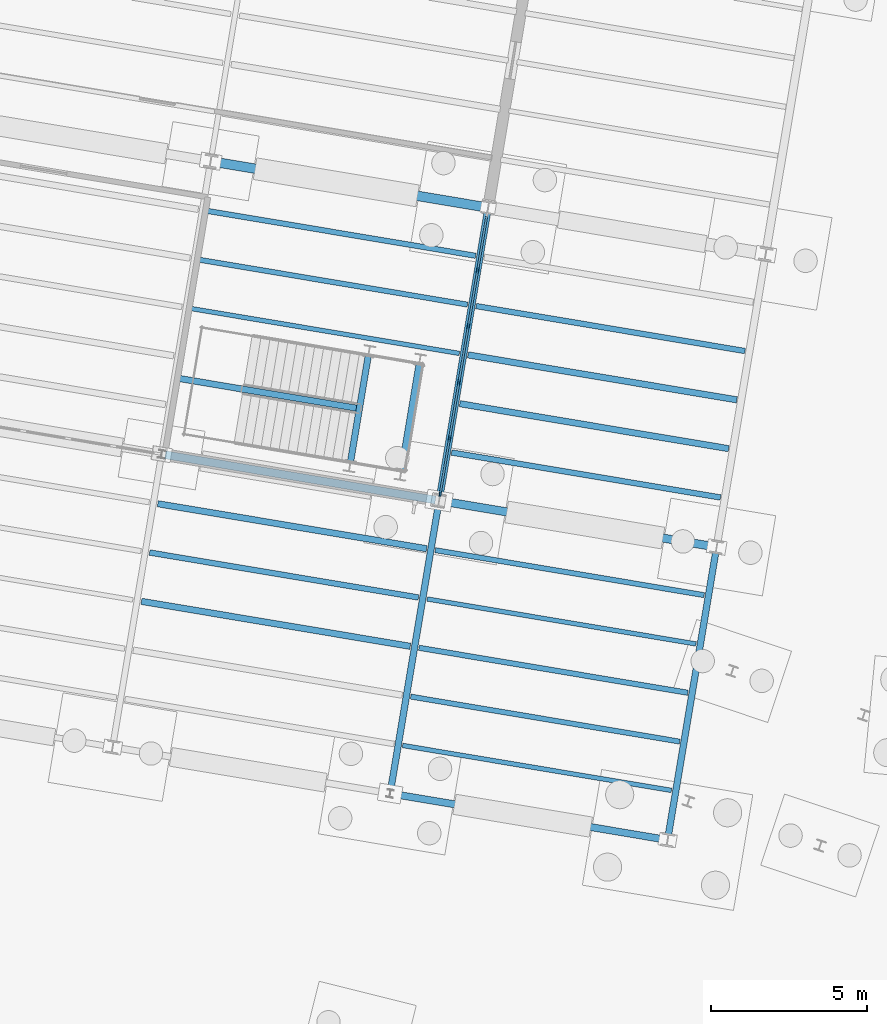
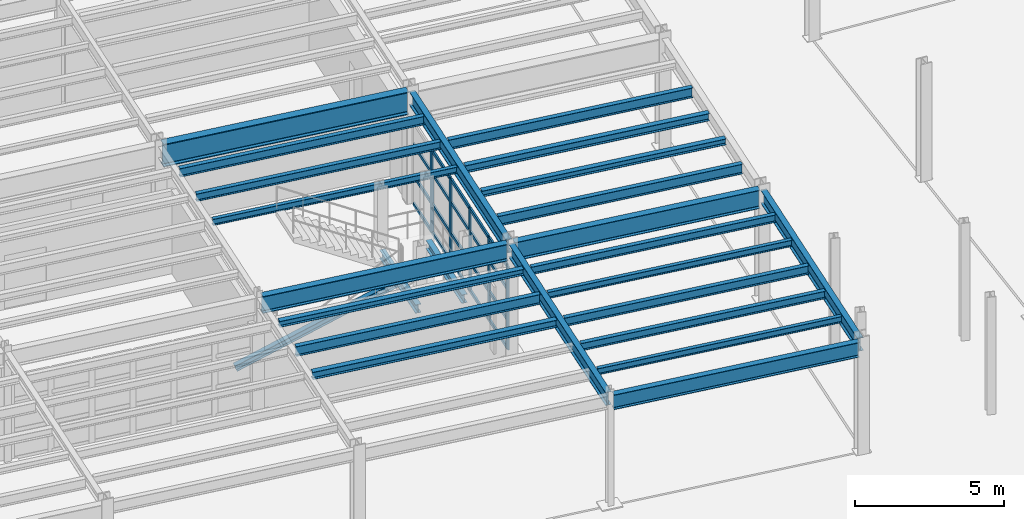
# One storey, part 45 of 108: 25 members, 24 beams, 1 element without a shape of its own.
"""IFC4 building model written with IfcOpenShell, lengths in metres."""

from ifc_helpers import new_model, si_unit, direction, frame, origin, origin_2d, place, context, subcontext, project, spatial, rectangle, i_section, extrude, material, layer, layer_set, material_profile, profile_set, type_object, element, aggregate, save


model = new_model("IFC4")

# Units and contexts
model_context = context("Model", 3, precision=1e-05, world=origin(), true_north=direction((0.0, 1.0)))
body_context = subcontext(model_context, "Body", "Model", "MODEL_VIEW")
ifc_project = project(units=[si_unit("LENGTHUNIT", "METRE"), si_unit("AREAUNIT", "SQUARE_METRE"), si_unit("VOLUMEUNIT", "CUBIC_METRE"), si_unit("PLANEANGLEUNIT", "RADIAN"), si_unit("MASSUNIT", "GRAM", prefix="KILO")], contexts=[model_context])

# Site, building, storey
site_placement = place(None, origin())
site = spatial("IfcSite", under=ifc_project, at=site_placement, CompositionType="ELEMENT")
building_placement = place(site_placement, origin())
building = spatial("IfcBuilding", under=site, at=building_placement, Name="Vireo Bluff Cable Station", CompositionType="ELEMENT")
storey_placement = place(building_placement, origin())
storey = spatial("IfcBuildingStorey", under=building, at=storey_placement, Name="L00", CompositionType="ELEMENT", Elevation=0.0)

# Beams
ifc_material_1 = material(Name="Steel ASTM A992 Gr. 50", Category="steel")
ifc_material_profile_1 = material_profile(ifc_material_1, i_section(OverallWidth=0.2041015625, OverallDepth=0.35009765625, WebThickness=0.008544921875, FlangeThickness=0.01513671875, FilletRadius=0.010009765625, at=origin_2d()), Name="W14X48")
ifc_profile_set_1 = profile_set([ifc_material_profile_1], Name="Steel ASTM A992 Gr. 50")
beam_type_1 = type_object("IfcBeamType", Name="BM-W14X48", PredefinedType="BEAM", material=ifc_profile_set_1)
for number, where, z_axis, x_axis, name in (
    (1, (39.74072265625, 76.172607421875, 2.02490234375), (0.165077965805, 0.986280520545, 0.0), (-0.986280520545, 0.165077965805, 0.0), "ST-08 L00 landing header beam N"),
    (2, (41.3681640625, 75.900390625, 2.02490234375), (0.165077965805, 0.986280520545, 0.0), (-0.986280520545, 0.165077965805, 0.0), "ST-08 L00 landing header beam F"),
):
    element("IfcBeam", number, at=place(storey_placement, frame(where, z_axis=z_axis, x_axis=x_axis)), inside=storey, type_object=beam_type_1, Name=name, PredefinedType="BEAM", context=body_context, shape_type="SweptSolid", body=[
        extrude(i_section(OverallWidth=0.2041015625, OverallDepth=0.35009765625, WebThickness=0.008544921875, FlangeThickness=0.01513671875, FilletRadius=0.010009765625, at=origin_2d()), origin(), (0.0, 0.0, 1.0), 3.43994140625),
    ])
ifc_material_profile_2 = material_profile(ifc_material_1, i_section(OverallWidth=0.2099609375, OverallDepth=0.535888671875, WebThickness=0.010986328125, FlangeThickness=0.017333984375, FilletRadius=0.012939453125, at=origin_2d()), Name="W21X68")
ifc_profile_set_2 = profile_set([ifc_material_profile_2], Name="Steel ASTM A992 Gr. 50")
beam_type_2 = type_object("IfcBeamType", Name="BM-W21X68", PredefinedType="BEAM", material=ifc_profile_set_2)
beam_1_placement = place(storey_placement, frame((41.026123046875, 65.6767578125, 4.27197265625), z_axis=(0.165048828716, 0.986285396901, 0.0), x_axis=(-0.986285396901, 0.165048828716, 0.0)))
element("IfcBeam", 3, at=beam_1_placement, inside=storey, type_object=beam_type_2, Name="V4 L00 beam 798", PredefinedType="BEAM", context=body_context, shape_type="SweptSolid", body=[
    extrude(i_section(OverallWidth=0.2099609375, OverallDepth=0.535888671875, WebThickness=0.010986328125, FlangeThickness=0.017333984375, FilletRadius=0.012939453125, at=origin_2d()), origin(), (0.0, 0.0, 1.0), 9.259765625),
])
ifc_material_profile_3 = material_profile(ifc_material_1, i_section(OverallWidth=0.214111328125, OverallDepth=0.549072265625, WebThickness=0.0146484375, FlangeThickness=0.023681640625, FilletRadius=0.012939453125, at=origin_2d()), Name="W21X93")
ifc_profile_set_3 = profile_set([ifc_material_profile_3], Name="Steel ASTM A992 Gr. 50")
beam_type_3 = type_object("IfcBeamType", Name="BM-W21X93", PredefinedType="BEAM", material=ifc_profile_set_3)
beam_2_placement = place(storey_placement, frame((42.593994140625, 75.04638671875, 4.265380859375), z_axis=(0.165044536891, 0.986286115102, 0.0), x_axis=(-0.986286115102, 0.165044536891, 0.0)))
element("IfcBeam", 4, at=beam_2_placement, inside=storey, type_object=beam_type_3, Name="V4 L00 beam 799", PredefinedType="BEAM", context=body_context, shape_type="SweptSolid", body=[
    extrude(i_section(OverallWidth=0.214111328125, OverallDepth=0.549072265625, WebThickness=0.0146484375, FlangeThickness=0.023681640625, FilletRadius=0.012939453125, at=origin_2d()), origin(), (0.0, 0.0, 1.0), 9.260009765625),
])

# Curtain wall, members
ifc_material_2 = material(Name="Anodized Aluminium 6063-T6", Category="aluminium")
ifc_layer = layer(ifc_material_2, 0.159912109375, Name="Anodized Aluminium 6063-T6")
ifc_layer_set = layer_set([ifc_layer], Name="Anodized Aluminium 6063-T6")
curtain_wall_type = type_object("IfcCurtainWallType", Name="CW-STICK-1750", PredefinedType="USERDEFINED", material=ifc_layer_set)
curtain_wall_placement = place(storey_placement, origin())
curtain_wall = element("IfcCurtainWall", 5, at=curtain_wall_placement, inside=storey, type_object=curtain_wall_type, Name="V4 L00 east curtain wall CW-084", ObjectType="STICK CURTAIN WALL", PredefinedType="USERDEFINED")
ifc_material_profile_4 = material_profile(ifc_material_2, rectangle(XDim=0.06494140625, YDim=0.179931640625, at=origin_2d()), Name="ALU-M-65X180")
ifc_profile_set_4 = profile_set([ifc_material_profile_4], Name="Anodized Aluminium 6063-T6")
member_type_1 = type_object("IfcMemberType", Name="CWM-01", PredefinedType="MULLION", material=ifc_profile_set_4)
member_1_placement = place(storey_placement, frame((43.807373046875, 82.29736328125, 0.0), z_axis=(0.0, 0.0, 1.0), x_axis=(0.986285593486, -0.165047653974, 0.0)))
member_1 = element("IfcMember", 6, at=member_1_placement, type_object=member_type_1, Name="CW-084 mullion 2", PredefinedType="MULLION", context=body_context, shape_type="SweptSolid", body=[
    extrude(rectangle(XDim=0.06494140625, YDim=0.179931640625, at=origin_2d()), origin(), (0.0, 0.0, 1.0), 3.39990234375),
])
member_2_placement = place(storey_placement, frame((43.507568359375, 80.504638671875, 0.0), z_axis=(0.0, 0.0, 1.0), x_axis=(0.986285593486, -0.165047653974, 0.0)))
member_2 = element("IfcMember", 7, at=member_2_placement, type_object=member_type_1, Name="CW-084 mullion 3", PredefinedType="MULLION", context=body_context, shape_type="SweptSolid", body=[
    extrude(rectangle(XDim=0.06494140625, YDim=0.179931640625, at=origin_2d()), origin(), (0.0, 0.0, 1.0), 3.39990234375),
])
member_3_placement = place(storey_placement, frame((43.20751953125, 78.712158203125, 0.0), z_axis=(0.0, 0.0, 1.0), x_axis=(0.986285593486, -0.165047653974, 0.0)))
member_3 = element("IfcMember", 8, at=member_3_placement, type_object=member_type_1, Name="CW-084 mullion 4", PredefinedType="MULLION", context=body_context, shape_type="SweptSolid", body=[
    extrude(rectangle(XDim=0.06494140625, YDim=0.179931640625, at=origin_2d()), origin(), (0.0, 0.0, 1.0), 3.39990234375),
])
member_4_placement = place(storey_placement, frame((42.907470703125, 76.91943359375, 0.0), z_axis=(0.0, 0.0, 1.0), x_axis=(0.986285593486, -0.165047653974, 0.0)))
member_4 = element("IfcMember", 9, at=member_4_placement, type_object=member_type_1, Name="CW-084 mullion 5", PredefinedType="MULLION", context=body_context, shape_type="SweptSolid", body=[
    extrude(rectangle(XDim=0.06494140625, YDim=0.179931640625, at=origin_2d()), origin(), (0.0, 0.0, 1.0), 3.39990234375),
])
member_5_placement = place(storey_placement, frame((42.61279296875, 75.15869140625, 0.0), z_axis=(0.0, 0.0, 1.0), x_axis=(0.986285593486, -0.165047653974, 0.0)))
member_5 = element("IfcMember", 10, at=member_5_placement, type_object=member_type_1, Name="CW-084 mullion 6", PredefinedType="MULLION", context=body_context, shape_type="SweptSolid", body=[
    extrude(rectangle(XDim=0.06494140625, YDim=0.179931640625, at=origin_2d()), origin(), (0.0, 0.0, 1.0), 3.39990234375),
])
ifc_material_profile_5 = material_profile(ifc_material_2, rectangle(XDim=0.06494140625, YDim=0.139892578125, at=origin_2d()), Name="ALU-T-65X140")
ifc_profile_set_5 = profile_set([ifc_material_profile_5], Name="Anodized Aluminium 6063-T6")
member_type_2 = type_object("IfcMemberType", Name="CWT-01", PredefinedType="USERDEFINED", material=ifc_profile_set_5)
member_6_placement = place(storey_placement, frame((44.0966796875, 84.02587890625, 0.032470703125), z_axis=(-0.165089521576, -0.986278586336, 0.0), x_axis=(0.986278586336, -0.165089521576, 0.0)))
member_6 = element("IfcMember", 11, at=member_6_placement, type_object=member_type_2, Name="CW-084 transom 1.1", ObjectType="TRANSOM", PredefinedType="USERDEFINED", context=body_context, shape_type="SweptSolid", body=[
    extrude(rectangle(XDim=0.06494140625, YDim=0.139892578125, at=origin_2d()), origin(), (0.0, 0.0, 1.0), 1.719970703125),
])
member_7_placement = place(storey_placement, frame((44.0966796875, 84.02587890625, 1.18994140625), z_axis=(-0.165089521576, -0.986278586336, 0.0), x_axis=(0.986278586336, -0.165089521576, 0.0)))
member_7 = element("IfcMember", 12, at=member_7_placement, type_object=member_type_2, Name="CW-084 transom 1.2", ObjectType="TRANSOM", PredefinedType="USERDEFINED", context=body_context, shape_type="SweptSolid", body=[
    extrude(rectangle(XDim=0.06494140625, YDim=0.139892578125, at=origin_2d()), origin(), (0.0, 0.0, 1.0), 1.719970703125),
])
member_8_placement = place(storey_placement, frame((44.0966796875, 84.02587890625, 2.447998046875), z_axis=(-0.165089521576, -0.986278586336, 0.0), x_axis=(0.986278586336, -0.165089521576, 0.0)))
member_8 = element("IfcMember", 13, at=member_8_placement, type_object=member_type_2, Name="CW-084 transom 1.3", ObjectType="TRANSOM", PredefinedType="USERDEFINED", context=body_context, shape_type="SweptSolid", body=[
    extrude(rectangle(XDim=0.06494140625, YDim=0.139892578125, at=origin_2d()), origin(), (0.0, 0.0, 1.0), 1.719970703125),
])
member_9_placement = place(storey_placement, frame((43.802001953125, 82.265380859375, 0.032470703125), z_axis=(-0.164941135671, -0.986303412629, 0.0), x_axis=(0.986303412629, -0.164941135671, 0.0)))
member_9 = element("IfcMember", 14, at=member_9_placement, type_object=member_type_2, Name="CW-084 transom 2.1", ObjectType="TRANSOM", PredefinedType="USERDEFINED", context=body_context, shape_type="SweptSolid", body=[
    extrude(rectangle(XDim=0.06494140625, YDim=0.139892578125, at=origin_2d()), origin(), (0.0, 0.0, 1.0), 1.75244140625),
])
member_10_placement = place(storey_placement, frame((43.802001953125, 82.265380859375, 1.18994140625), z_axis=(-0.164941135671, -0.986303412629, 0.0), x_axis=(0.986303412629, -0.164941135671, 0.0)))
member_10 = element("IfcMember", 15, at=member_10_placement, type_object=member_type_2, Name="CW-084 transom 2.2", ObjectType="TRANSOM", PredefinedType="USERDEFINED", context=body_context, shape_type="SweptSolid", body=[
    extrude(rectangle(XDim=0.06494140625, YDim=0.139892578125, at=origin_2d()), origin(), (0.0, 0.0, 1.0), 1.75244140625),
])
member_11_placement = place(storey_placement, frame((43.802001953125, 82.265380859375, 2.447998046875), z_axis=(-0.164941135671, -0.986303412629, 0.0), x_axis=(0.986303412629, -0.164941135671, 0.0)))
member_11 = element("IfcMember", 16, at=member_11_placement, type_object=member_type_2, Name="CW-084 transom 2.3", ObjectType="TRANSOM", PredefinedType="USERDEFINED", context=body_context, shape_type="SweptSolid", body=[
    extrude(rectangle(XDim=0.06494140625, YDim=0.139892578125, at=origin_2d()), origin(), (0.0, 0.0, 1.0), 1.75244140625),
])
member_12_placement = place(storey_placement, frame((43.802001953125, 82.265380859375, 3.367431640625), z_axis=(-0.164941135671, -0.986303412629, 0.0), x_axis=(0.986303412629, -0.164941135671, 0.0)))
member_12 = element("IfcMember", 17, at=member_12_placement, type_object=member_type_2, Name="CW-084 transom 2.4", ObjectType="TRANSOM", PredefinedType="USERDEFINED", context=body_context, shape_type="SweptSolid", body=[
    extrude(rectangle(XDim=0.06494140625, YDim=0.139892578125, at=origin_2d()), origin(), (0.0, 0.0, 1.0), 1.75244140625),
])
member_13_placement = place(storey_placement, frame((43.502197265625, 80.47265625, 0.032470703125), z_axis=(-0.165076649426, -0.986280740872, 0.0), x_axis=(0.986280740872, -0.165076649426, 0.0)))
member_13 = element("IfcMember", 18, at=member_13_placement, type_object=member_type_2, Name="CW-084 transom 3.1", ObjectType="TRANSOM", PredefinedType="USERDEFINED", context=body_context, shape_type="SweptSolid", body=[
    extrude(rectangle(XDim=0.06494140625, YDim=0.139892578125, at=origin_2d()), origin(), (0.0, 0.0, 1.0), 1.75244140625),
])
member_14_placement = place(storey_placement, frame((43.502197265625, 80.47265625, 1.18994140625), z_axis=(-0.165076649426, -0.986280740872, 0.0), x_axis=(0.986280740872, -0.165076649426, 0.0)))
member_14 = element("IfcMember", 19, at=member_14_placement, type_object=member_type_2, Name="CW-084 transom 3.2", ObjectType="TRANSOM", PredefinedType="USERDEFINED", context=body_context, shape_type="SweptSolid", body=[
    extrude(rectangle(XDim=0.06494140625, YDim=0.139892578125, at=origin_2d()), origin(), (0.0, 0.0, 1.0), 1.75244140625),
])
member_15_placement = place(storey_placement, frame((43.502197265625, 80.47265625, 2.447998046875), z_axis=(-0.165076649426, -0.986280740872, 0.0), x_axis=(0.986280740872, -0.165076649426, 0.0)))
member_15 = element("IfcMember", 20, at=member_15_placement, type_object=member_type_2, Name="CW-084 transom 3.3", ObjectType="TRANSOM", PredefinedType="USERDEFINED", context=body_context, shape_type="SweptSolid", body=[
    extrude(rectangle(XDim=0.06494140625, YDim=0.139892578125, at=origin_2d()), origin(), (0.0, 0.0, 1.0), 1.75244140625),
])
member_16_placement = place(storey_placement, frame((43.502197265625, 80.47265625, 3.367431640625), z_axis=(-0.165076649426, -0.986280740872, 0.0), x_axis=(0.986280740872, -0.165076649426, 0.0)))
member_16 = element("IfcMember", 21, at=member_16_placement, type_object=member_type_2, Name="CW-084 transom 3.4", ObjectType="TRANSOM", PredefinedType="USERDEFINED", context=body_context, shape_type="SweptSolid", body=[
    extrude(rectangle(XDim=0.06494140625, YDim=0.139892578125, at=origin_2d()), origin(), (0.0, 0.0, 1.0), 1.75244140625),
])
member_17_placement = place(storey_placement, frame((43.2021484375, 78.679931640625, 0.032470703125), z_axis=(-0.165076649426, -0.986280740872, 0.0), x_axis=(0.986280740872, -0.165076649426, 0.0)))
member_17 = element("IfcMember", 22, at=member_17_placement, type_object=member_type_2, Name="CW-084 transom 4.1", ObjectType="TRANSOM", PredefinedType="USERDEFINED", context=body_context, shape_type="SweptSolid", body=[
    extrude(rectangle(XDim=0.06494140625, YDim=0.139892578125, at=origin_2d()), origin(), (0.0, 0.0, 1.0), 1.75244140625),
])
member_18_placement = place(storey_placement, frame((43.2021484375, 78.679931640625, 1.18994140625), z_axis=(-0.165076649426, -0.986280740872, 0.0), x_axis=(0.986280740872, -0.165076649426, 0.0)))
member_18 = element("IfcMember", 23, at=member_18_placement, type_object=member_type_2, Name="CW-084 transom 4.2", ObjectType="TRANSOM", PredefinedType="USERDEFINED", context=body_context, shape_type="SweptSolid", body=[
    extrude(rectangle(XDim=0.06494140625, YDim=0.139892578125, at=origin_2d()), origin(), (0.0, 0.0, 1.0), 1.75244140625),
])
member_19_placement = place(storey_placement, frame((43.2021484375, 78.679931640625, 2.447998046875), z_axis=(-0.165076649426, -0.986280740872, 0.0), x_axis=(0.986280740872, -0.165076649426, 0.0)))
member_19 = element("IfcMember", 24, at=member_19_placement, type_object=member_type_2, Name="CW-084 transom 4.3", ObjectType="TRANSOM", PredefinedType="USERDEFINED", context=body_context, shape_type="SweptSolid", body=[
    extrude(rectangle(XDim=0.06494140625, YDim=0.139892578125, at=origin_2d()), origin(), (0.0, 0.0, 1.0), 1.75244140625),
])
member_20_placement = place(storey_placement, frame((43.2021484375, 78.679931640625, 3.367431640625), z_axis=(-0.165076649426, -0.986280740872, 0.0), x_axis=(0.986280740872, -0.165076649426, 0.0)))
member_20 = element("IfcMember", 25, at=member_20_placement, type_object=member_type_2, Name="CW-084 transom 4.4", ObjectType="TRANSOM", PredefinedType="USERDEFINED", context=body_context, shape_type="SweptSolid", body=[
    extrude(rectangle(XDim=0.06494140625, YDim=0.139892578125, at=origin_2d()), origin(), (0.0, 0.0, 1.0), 1.75244140625),
])
member_21_placement = place(storey_placement, frame((42.902099609375, 76.887451171875, 0.032470703125), z_axis=(-0.165066411628, -0.986282454347, 0.0), x_axis=(0.986282454347, -0.165066411628, 0.0)))
member_21 = element("IfcMember", 26, at=member_21_placement, type_object=member_type_2, Name="CW-084 transom 5.1", ObjectType="TRANSOM", PredefinedType="USERDEFINED", context=body_context, shape_type="SweptSolid", body=[
    extrude(rectangle(XDim=0.06494140625, YDim=0.139892578125, at=origin_2d()), origin(), (0.0, 0.0, 1.0), 1.72021484375),
])
member_22_placement = place(storey_placement, frame((42.902099609375, 76.887451171875, 1.18994140625), z_axis=(-0.165066411628, -0.986282454347, 0.0), x_axis=(0.986282454347, -0.165066411628, 0.0)))
member_22 = element("IfcMember", 27, at=member_22_placement, type_object=member_type_2, Name="CW-084 transom 5.2", ObjectType="TRANSOM", PredefinedType="USERDEFINED", context=body_context, shape_type="SweptSolid", body=[
    extrude(rectangle(XDim=0.06494140625, YDim=0.139892578125, at=origin_2d()), origin(), (0.0, 0.0, 1.0), 1.72021484375),
])
member_23_placement = place(storey_placement, frame((42.902099609375, 76.887451171875, 2.447998046875), z_axis=(-0.165066411628, -0.986282454347, 0.0), x_axis=(0.986282454347, -0.165066411628, 0.0)))
member_23 = element("IfcMember", 28, at=member_23_placement, type_object=member_type_2, Name="CW-084 transom 5.3", ObjectType="TRANSOM", PredefinedType="USERDEFINED", context=body_context, shape_type="SweptSolid", body=[
    extrude(rectangle(XDim=0.06494140625, YDim=0.139892578125, at=origin_2d()), origin(), (0.0, 0.0, 1.0), 1.72021484375),
])
member_24_placement = place(storey_placement, frame((42.902099609375, 76.887451171875, 3.367431640625), z_axis=(-0.165066411628, -0.986282454347, 0.0), x_axis=(0.986282454347, -0.165066411628, 0.0)))
member_24 = element("IfcMember", 29, at=member_24_placement, type_object=member_type_2, Name="CW-084 transom 5.4", ObjectType="TRANSOM", PredefinedType="USERDEFINED", context=body_context, shape_type="SweptSolid", body=[
    extrude(rectangle(XDim=0.06494140625, YDim=0.139892578125, at=origin_2d()), origin(), (0.0, 0.0, 1.0), 1.72021484375),
])
aggregate(curtain_wall, [member_1, member_2, member_3, member_4, member_5, member_6, member_7, member_8, member_9, member_10, member_11, member_12, member_13, member_14, member_15, member_16, member_17, member_18, member_19, member_20, member_21, member_22, member_23, member_24])

# Beams
ifc_material_profile_6 = material_profile(ifc_material_1, i_section(OverallWidth=0.257080078125, OverallDepth=0.693115234375, WebThickness=0.014404296875, FlangeThickness=0.023681640625, FilletRadius=0.014892578125, at=origin_2d()), Name="W27X114")
ifc_profile_set_6 = profile_set([ifc_material_profile_6], Name="Steel ASTM A992 Gr. 50")
beam_type_4 = type_object("IfcBeamType", Name="GIR-W27X114", PredefinedType="USERDEFINED", material=ifc_profile_set_6)
beam_3_placement = place(storey_placement, frame((33.81591796875, 76.3935546875, 4.193603515625), z_axis=(0.986285998922, -0.165045231163, 0.0), x_axis=(0.165045231163, 0.986285998922, 0.0)))
element("IfcBeam", 30, at=beam_3_placement, inside=storey, type_object=beam_type_4, Name="V4 L00 girder 774", ObjectType="GIRDER", PredefinedType="USERDEFINED", context=body_context, shape_type="SweptSolid", body=[
    extrude(i_section(OverallWidth=0.257080078125, OverallDepth=0.693115234375, WebThickness=0.014404296875, FlangeThickness=0.023681640625, FilletRadius=0.014892578125, at=origin_2d()), origin(), (0.0, 0.0, 1.0), 8.760009765625),
])
ifc_material_profile_7 = material_profile(ifc_material_1, i_section(OverallWidth=0.264892578125, OverallDepth=0.7529296875, WebThickness=0.01318359375, FlangeThickness=0.01708984375, FilletRadius=0.01611328125, at=origin_2d()), Name="W30X99")
ifc_profile_set_7 = profile_set([ifc_material_profile_7], Name="Steel ASTM A992 Gr. 50")
beam_type_5 = type_object("IfcBeamType", Name="GIR-W30X99", PredefinedType="USERDEFINED", material=ifc_profile_set_7)
beam_4_placement = place(storey_placement, frame((42.692626953125, 74.908203125, 4.16357421875), z_axis=(0.986285998922, -0.165045231163, 0.0), x_axis=(0.165045231163, 0.986285998922, 0.0)))
element("IfcBeam", 31, at=beam_4_placement, inside=storey, type_object=beam_type_5, Name="V4 L00 girder 775", ObjectType="GIRDER", PredefinedType="USERDEFINED", context=body_context, shape_type="SweptSolid", body=[
    extrude(i_section(OverallWidth=0.264892578125, OverallDepth=0.7529296875, WebThickness=0.01318359375, FlangeThickness=0.01708984375, FilletRadius=0.01611328125, at=origin_2d()), origin(), (0.0, 0.0, 1.0), 8.760009765625),
])
ifc_material_profile_8 = material_profile(ifc_material_1, i_section(OverallWidth=0.306884765625, OverallDepth=0.927001953125, WebThickness=0.019287109375, FlangeThickness=0.031982421875, FilletRadius=0.02001953125, at=origin_2d()), Name="W36X194")
ifc_profile_set_8 = profile_set([ifc_material_profile_8], Name="Steel ASTM A992 Gr. 50")
beam_type_6 = type_object("IfcBeamType", Name="GIR-W36X194", PredefinedType="USERDEFINED", material=ifc_profile_set_8)
beam_5_placement = place(storey_placement, frame((35.384033203125, 85.763427734375, 4.076416015625), z_axis=(0.986285998922, -0.165045231163, 0.0), x_axis=(0.165045231163, 0.986285998922, 0.0)))
element("IfcBeam", 32, at=beam_5_placement, inside=storey, type_object=beam_type_6, Name="V4 L00 girder 779", ObjectType="GIRDER", PredefinedType="USERDEFINED", context=body_context, shape_type="SweptSolid", body=[
    extrude(i_section(OverallWidth=0.306884765625, OverallDepth=0.927001953125, WebThickness=0.019287109375, FlangeThickness=0.031982421875, FilletRadius=0.02001953125, at=origin_2d()), origin(), (0.0, 0.0, 1.0), 8.760009765625),
])
ifc_material_profile_9 = material_profile(ifc_material_1, i_section(OverallWidth=0.14599609375, OverallDepth=0.259033203125, WebThickness=0.006103515625, FlangeThickness=0.009033203125, FilletRadius=0.009033203125, at=origin_2d()), Name="W10X22")
ifc_profile_set_9 = profile_set([ifc_material_profile_9], Name="Steel ASTM A992 Gr. 50")
beam_type_7 = type_object("IfcBeamType", Name="JST-W10X22", PredefinedType="JOIST", material=ifc_profile_set_9)
beam_6_placement = place(storey_placement, frame((34.61962890625, 81.0751953125, 4.410400390625), z_axis=(0.986286264339, -0.165043645063, 0.0), x_axis=(0.165043645063, 0.986286264339, 0.0)))
element("IfcBeam", 33, at=beam_6_placement, inside=storey, type_object=beam_type_7, Name="V4 L00 composite joist 849", PredefinedType="JOIST", context=body_context, shape_type="SweptSolid", body=[
    extrude(i_section(OverallWidth=0.14599609375, OverallDepth=0.259033203125, WebThickness=0.006103515625, FlangeThickness=0.009033203125, FilletRadius=0.009033203125, at=origin_2d()), origin(), (0.0, 0.0, 1.0), 8.72021484375),
])
for number, where, z_axis, x_axis, name in (
    (34, (41.40576171875, 67.0966796875, 4.410400390625), (0.98628550168, -0.165048202583, 0.0), (0.165048202583, 0.98628550168, 0.0), "V4 L00 composite joist 857"),
    (35, (42.189697265625, 71.78173828125, 4.410400390625), (0.98628550168, -0.165048202583, 0.0), (0.165048202583, 0.98628550168, 0.0), "V4 L00 composite joist 860"),
):
    element("IfcBeam", number, at=place(storey_placement, frame(where, z_axis=z_axis, x_axis=x_axis)), inside=storey, type_object=beam_type_7, Name=name, PredefinedType="JOIST", context=body_context, shape_type="SweptSolid", body=[
        extrude(i_section(OverallWidth=0.14599609375, OverallDepth=0.259033203125, WebThickness=0.006103515625, FlangeThickness=0.009033203125, FilletRadius=0.009033203125, at=origin_2d()), origin(), (0.0, 0.0, 1.0), 8.719970703125),
    ])
ifc_material_profile_10 = material_profile(ifc_material_1, i_section(OverallWidth=0.201904296875, OverallDepth=0.2470703125, WebThickness=0.00732421875, FlangeThickness=0.010986328125, FilletRadius=0.009033203125, at=origin_2d()), Name="W10X33")
ifc_profile_set_10 = profile_set([ifc_material_profile_10], Name="Steel ASTM A992 Gr. 50")
beam_type_8 = type_object("IfcBeamType", Name="JST-W10X33", PredefinedType="JOIST", material=ifc_profile_set_10)
beam_7_placement = place(storey_placement, frame((33.574462890625, 74.82861328125, 4.41650390625), z_axis=(0.98628550168, -0.165048202583, 0.0), x_axis=(0.165048202583, 0.98628550168, 0.0)))
element("IfcBeam", 36, at=beam_7_placement, inside=storey, type_object=beam_type_8, Name="V4 L00 composite joist 848", PredefinedType="JOIST", context=body_context, shape_type="SweptSolid", body=[
    extrude(i_section(OverallWidth=0.201904296875, OverallDepth=0.2470703125, WebThickness=0.00732421875, FlangeThickness=0.010986328125, FilletRadius=0.009033203125, at=origin_2d()), origin(), (0.0, 0.0, 1.0), 8.719970703125),
])
beam_8_placement = place(storey_placement, frame((43.23486328125, 78.028076171875, 4.41650390625), z_axis=(0.986286264339, -0.165043645063, 0.0), x_axis=(0.165043645063, 0.986286264339, 0.0)))
element("IfcBeam", 37, at=beam_8_placement, inside=storey, type_object=beam_type_8, Name="V4 L00 composite joist 863", PredefinedType="JOIST", context=body_context, shape_type="SweptSolid", body=[
    extrude(i_section(OverallWidth=0.201904296875, OverallDepth=0.2470703125, WebThickness=0.00732421875, FlangeThickness=0.010986328125, FilletRadius=0.009033203125, at=origin_2d()), origin(), (0.0, 0.0, 1.0), 8.72021484375),
])
ifc_material_profile_11 = material_profile(ifc_material_1, i_section(OverallWidth=0.1650390625, OverallDepth=0.31005859375, WebThickness=0.005859375, FlangeThickness=0.009765625, FilletRadius=0.010009765625, at=origin_2d()), Name="W12X26")
ifc_profile_set_11 = profile_set([ifc_material_profile_11], Name="Steel ASTM A992 Gr. 50")
beam_type_9 = type_object("IfcBeamType", Name="JST-W12X26", PredefinedType="JOIST", material=ifc_profile_set_11)
for number, where, z_axis, x_axis, name in (
    (38, (34.881103515625, 82.63671875, 4.385009765625), (0.98628550168, -0.165048202583, 0.0), (0.165048202583, 0.98628550168, 0.0), "V4 L00 composite joist 850"),
    (39, (41.6669921875, 68.658447265625, 4.385009765625), (0.98628550168, -0.165048202583, 0.0), (0.165048202583, 0.98628550168, 0.0), "V4 L00 composite joist 858"),
):
    element("IfcBeam", number, at=place(storey_placement, frame(where, z_axis=z_axis, x_axis=x_axis)), inside=storey, type_object=beam_type_9, Name=name, PredefinedType="JOIST", context=body_context, shape_type="SweptSolid", body=[
        extrude(i_section(OverallWidth=0.1650390625, OverallDepth=0.31005859375, WebThickness=0.005859375, FlangeThickness=0.009765625, FilletRadius=0.010009765625, at=origin_2d()), origin(), (0.0, 0.0, 1.0), 8.719970703125),
    ])
beam_9_placement = place(storey_placement, frame((42.450927734375, 73.34326171875, 4.385009765625), z_axis=(0.986286264339, -0.165043645063, 0.0), x_axis=(0.165043645063, 0.986286264339, 0.0)))
element("IfcBeam", 40, at=beam_9_placement, inside=storey, type_object=beam_type_9, Name="V4 L00 composite joist 861", PredefinedType="JOIST", context=body_context, shape_type="SweptSolid", body=[
    extrude(i_section(OverallWidth=0.1650390625, OverallDepth=0.31005859375, WebThickness=0.005859375, FlangeThickness=0.009765625, FilletRadius=0.010009765625, at=origin_2d()), origin(), (0.0, 0.0, 1.0), 8.72021484375),
])
ifc_material_profile_12 = material_profile(ifc_material_1, i_section(OverallWidth=0.202880859375, OverallDepth=0.302978515625, WebThickness=0.007568359375, FlangeThickness=0.01318359375, FilletRadius=0.010009765625, at=origin_2d()), Name="W12X40")
ifc_profile_set_12 = profile_set([ifc_material_profile_12], Name="Steel ASTM A992 Gr. 50")
beam_type_10 = type_object("IfcBeamType", Name="JST-W12X40", PredefinedType="JOIST", material=ifc_profile_set_12)
for number, where, z_axis, x_axis, name in (
    (41, (33.0517578125, 71.70556640625, 4.388427734375), (0.98628550168, -0.165048202583, 0.0), (0.165048202583, 0.98628550168, 0.0), "V4 L00 composite joist 846"),
    (42, (43.496337890625, 79.58984375, 4.388427734375), (0.98628550168, -0.165048202583, 0.0), (0.165048202583, 0.98628550168, 0.0), "V4 L00 composite joist 864"),
):
    element("IfcBeam", number, at=place(storey_placement, frame(where, z_axis=z_axis, x_axis=x_axis)), inside=storey, type_object=beam_type_10, Name=name, PredefinedType="JOIST", context=body_context, shape_type="SweptSolid", body=[
        extrude(i_section(OverallWidth=0.202880859375, OverallDepth=0.302978515625, WebThickness=0.007568359375, FlangeThickness=0.01318359375, FilletRadius=0.010009765625, at=origin_2d()), origin(), (0.0, 0.0, 1.0), 8.719970703125),
    ])
ifc_material_profile_13 = material_profile(ifc_material_1, i_section(OverallWidth=0.1708984375, OverallDepth=0.35107421875, WebThickness=0.0068359375, FlangeThickness=0.009765625, FilletRadius=0.010009765625, at=origin_2d()), Name="W14X30")
ifc_profile_set_13 = profile_set([ifc_material_profile_13], Name="Steel ASTM A992 Gr. 50")
beam_type_11 = type_object("IfcBeamType", Name="JST-W14X30", PredefinedType="JOIST", material=ifc_profile_set_13)
beam_10_placement = place(storey_placement, frame((35.142333984375, 84.198486328125, 4.364501953125), z_axis=(0.98628550168, -0.165048202583, 0.0), x_axis=(0.165048202583, 0.98628550168, 0.0)))
element("IfcBeam", 43, at=beam_10_placement, inside=storey, type_object=beam_type_11, Name="V4 L00 composite joist 851", PredefinedType="JOIST", context=body_context, shape_type="SweptSolid", body=[
    extrude(i_section(OverallWidth=0.1708984375, OverallDepth=0.35107421875, WebThickness=0.0068359375, FlangeThickness=0.009765625, FilletRadius=0.010009765625, at=origin_2d()), origin(), (0.0, 0.0, 1.0), 8.719970703125),
])
beam_11_placement = place(storey_placement, frame((41.92822265625, 70.219970703125, 4.364501953125), z_axis=(0.986286264339, -0.165043645063, 0.0), x_axis=(0.165043645063, 0.986286264339, 0.0)))
element("IfcBeam", 44, at=beam_11_placement, inside=storey, type_object=beam_type_11, Name="V4 L00 composite joist 859", PredefinedType="JOIST", context=body_context, shape_type="SweptSolid", body=[
    extrude(i_section(OverallWidth=0.1708984375, OverallDepth=0.35107421875, WebThickness=0.0068359375, FlangeThickness=0.009765625, FilletRadius=0.010009765625, at=origin_2d()), origin(), (0.0, 0.0, 1.0), 8.72021484375),
])
ifc_material_profile_14 = material_profile(ifc_material_1, i_section(OverallWidth=0.177978515625, OverallDepth=0.404052734375, WebThickness=0.007568359375, FlangeThickness=0.010986328125, FilletRadius=0.010009765625, at=origin_2d()), Name="W16X36")
ifc_profile_set_14 = profile_set([ifc_material_profile_14], Name="Steel ASTM A992 Gr. 50")
beam_type_12 = type_object("IfcBeamType", Name="JST-W16X36", PredefinedType="JOIST", material=ifc_profile_set_14)
beam_12_placement = place(storey_placement, frame((33.31298828125, 73.26708984375, 4.337890625), z_axis=(0.986286264339, -0.165043645063, 0.0), x_axis=(0.165043645063, 0.986286264339, 0.0)))
element("IfcBeam", 45, at=beam_12_placement, inside=storey, type_object=beam_type_12, Name="V4 L00 composite joist 847", PredefinedType="JOIST", context=body_context, shape_type="SweptSolid", body=[
    extrude(i_section(OverallWidth=0.177978515625, OverallDepth=0.404052734375, WebThickness=0.007568359375, FlangeThickness=0.010986328125, FilletRadius=0.010009765625, at=origin_2d()), origin(), (0.0, 0.0, 1.0), 8.72021484375),
])
for number, where, z_axis, x_axis, name in (
    (46, (42.9736328125, 76.466552734375, 4.337890625), (0.98628550168, -0.165048202583, 0.0), (0.165048202583, 0.98628550168, 0.0), "V4 L00 composite joist 862"),
    (47, (43.757568359375, 81.1513671875, 4.337890625), (0.98628550168, -0.165048202583, 0.0), (0.165048202583, 0.98628550168, 0.0), "V4 L00 composite joist 865"),
):
    element("IfcBeam", number, at=place(storey_placement, frame(where, z_axis=z_axis, x_axis=x_axis)), inside=storey, type_object=beam_type_12, Name=name, PredefinedType="JOIST", context=body_context, shape_type="SweptSolid", body=[
        extrude(i_section(OverallWidth=0.177978515625, OverallDepth=0.404052734375, WebThickness=0.007568359375, FlangeThickness=0.010986328125, FilletRadius=0.010009765625, at=origin_2d()), origin(), (0.0, 0.0, 1.0), 8.719970703125),
    ])
ifc_material_profile_15 = material_profile(ifc_material_1, i_section(OverallWidth=0.2099609375, OverallDepth=0.535888671875, WebThickness=0.010986328125, FlangeThickness=0.017333984375, FilletRadius=0.012939453125, at=origin_2d()), Name="W21X68")
ifc_profile_set_15 = profile_set([ifc_material_profile_15], Name="Steel ASTM A992 Gr. 50")
beam_type_13 = type_object("IfcBeamType", Name="SPN-W21X68", PredefinedType="SPANDREL", material=ifc_profile_set_15)
beam_13_placement = place(storey_placement, frame((49.902587890625, 64.191162109375, 4.27197265625), z_axis=(0.165044536891, 0.986286115102, 0.0), x_axis=(-0.986286115102, 0.165044536891, 0.0)))
element("IfcBeam", 48, at=beam_13_placement, inside=storey, type_object=beam_type_13, Name="V4 L00 spandrel 801", PredefinedType="SPANDREL", context=body_context, shape_type="SweptSolid", body=[
    extrude(i_section(OverallWidth=0.2099609375, OverallDepth=0.535888671875, WebThickness=0.010986328125, FlangeThickness=0.017333984375, FilletRadius=0.012939453125, at=origin_2d()), origin(), (0.0, 0.0, 1.0), 9.260009765625),
])
ifc_material_profile_16 = material_profile(ifc_material_1, i_section(OverallWidth=0.22802734375, OverallDepth=0.60693359375, WebThickness=0.01123046875, FlangeThickness=0.017333984375, FilletRadius=0.012939453125, at=origin_2d()), Name="W24X76")
ifc_profile_set_16 = profile_set([ifc_material_profile_16], Name="Steel ASTM A992 Gr. 50")
beam_type_14 = type_object("IfcBeamType", Name="SPN-W24X76", PredefinedType="SPANDREL", material=ifc_profile_set_16)
beam_14_placement = place(storey_placement, frame((41.124755859375, 65.53857421875, 4.236572265625), z_axis=(0.986285239719, -0.16504976799, 0.0), x_axis=(0.16504976799, 0.986285239719, 0.0)))
element("IfcBeam", 49, at=beam_14_placement, inside=storey, type_object=beam_type_14, Name="V4 L00 spandrel 770", PredefinedType="SPANDREL", context=body_context, shape_type="SweptSolid", body=[
    extrude(i_section(OverallWidth=0.22802734375, OverallDepth=0.60693359375, WebThickness=0.01123046875, FlangeThickness=0.017333984375, FilletRadius=0.012939453125, at=origin_2d()), origin(), (0.0, 0.0, 1.0), 8.759765625),
])

# Member
ifc_material_profile_17 = material_profile(ifc_material_1, i_section(OverallWidth=0.201904296875, OverallDepth=0.2470703125, WebThickness=0.00732421875, FlangeThickness=0.010986328125, FilletRadius=0.009033203125, at=origin_2d()), Name="W10X33")
ifc_profile_set_17 = profile_set([ifc_material_profile_17], Name="Steel ASTM A992 Gr. 50")
member_type_3 = type_object("IfcMemberType", Name="STRINGER-01", PredefinedType="STRINGER", material=ifc_profile_set_17)
member_25_placement = place(storey_placement, frame((34.20556640625, 78.843017578125, -0.050048828125), z_axis=(0.929544728783, -0.155559996714, 0.334286829854), x_axis=(0.165055405239, 0.986284296337, 0.0)))
element("IfcMember", 50, at=member_25_placement, inside=storey, type_object=member_type_3, Name="ST-08 L00 steel stair stringer", PredefinedType="STRINGER", context=body_context, shape_type="SweptSolid", body=[
    extrude(i_section(OverallWidth=0.201904296875, OverallDepth=0.2470703125, WebThickness=0.00732421875, FlangeThickness=0.010986328125, FilletRadius=0.009033203125, at=origin_2d()), origin(), (0.0, 0.0, 1.0), 6.20703125),
])

save(model, "model.ifc")
